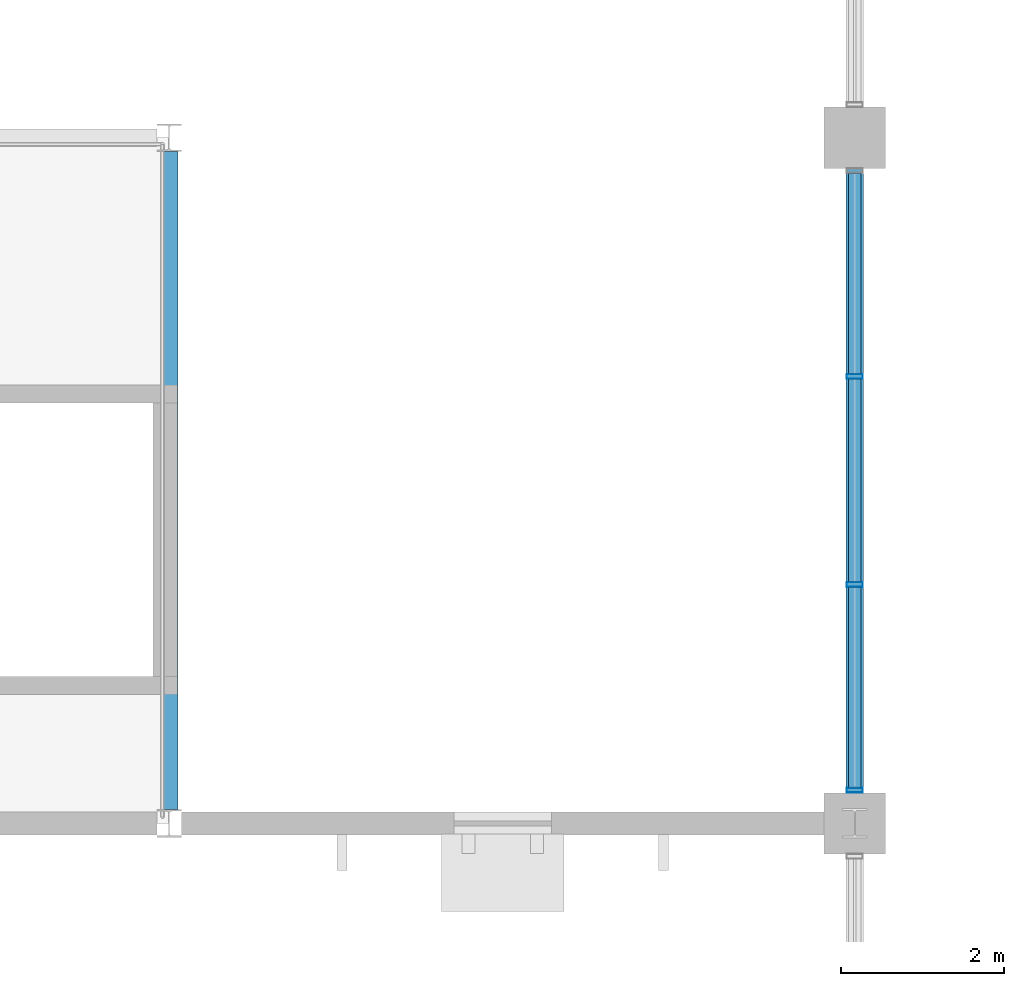
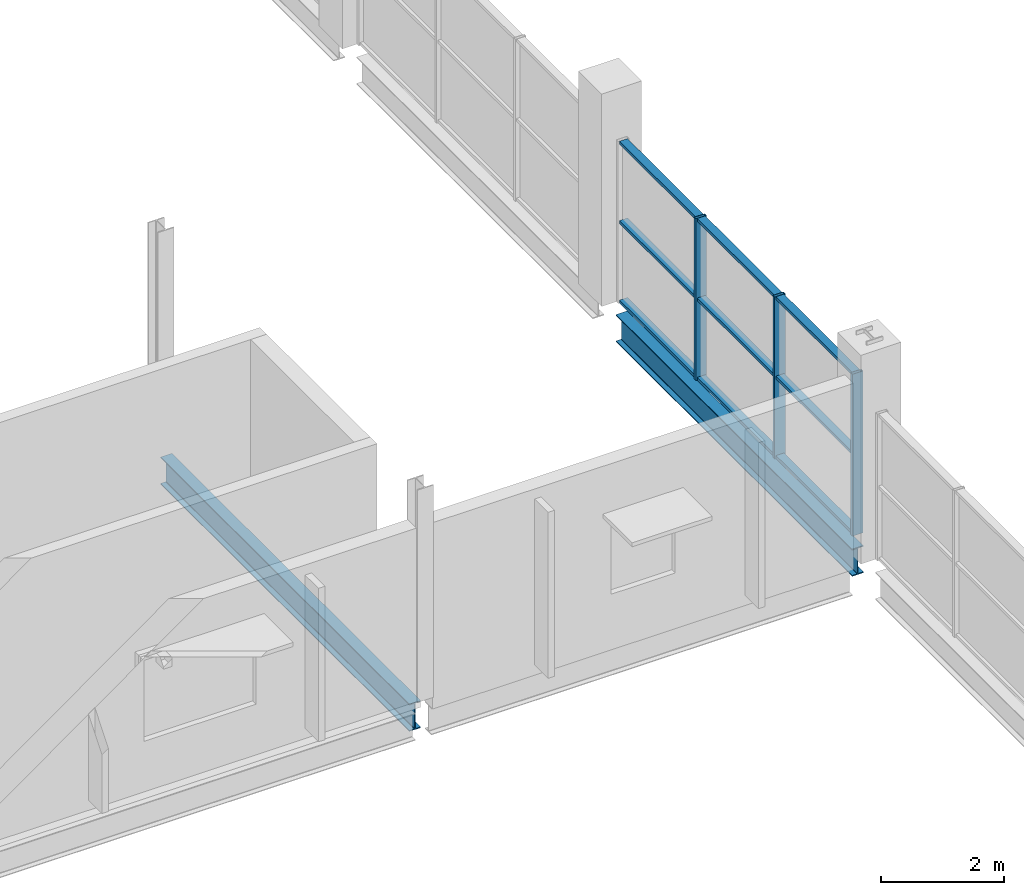
# One storey, part 11 of 68: 12 members, 2 beams, 1 element without a shape of its own.
"""IFC4 building model written with IfcOpenShell, lengths in metres."""

from ifc_helpers import new_model, si_unit, direction, frame, origin, origin_2d, place, context, subcontext, project, spatial, hollow_rectangle, i_section, extrude, material, material_profile, profile_set, type_object, element, aggregate, save


model = new_model("IFC4")

# Units and contexts
model_context = context("Model", 3, precision=1e-05, world=origin(), true_north=direction((0.0, 1.0)))
body_context = subcontext(model_context, "Body", "Model", "MODEL_VIEW")
ifc_project = project(units=[si_unit("LENGTHUNIT", "METRE"), si_unit("AREAUNIT", "SQUARE_METRE"), si_unit("VOLUMEUNIT", "CUBIC_METRE"), si_unit("PLANEANGLEUNIT", "RADIAN"), si_unit("MASSUNIT", "GRAM", prefix="KILO"), si_unit("THERMODYNAMICTEMPERATUREUNIT", "KELVIN")], contexts=[model_context])

# Site, building, storey
site_placement = place(None, origin())
site = spatial("IfcSite", under=ifc_project, at=site_placement, CompositionType="ELEMENT")
building_placement = place(site_placement, origin())
building = spatial("IfcBuilding", under=site, at=building_placement, Name="Nduvali Passage Aquatics Centre", CompositionType="ELEMENT")
storey_placement = place(building_placement, frame((0.0, 0.0, 13.199951171875)))
storey = spatial("IfcBuildingStorey", under=building, at=storey_placement, Name="L03", CompositionType="ELEMENT", Elevation=13.199951171875)

# Curtain wall, members
ifc_material_1 = material(Name="Aluminium EN AW-6063 T6", Category="aluminium")
curtain_wall_type = type_object("IfcCurtainWallType", Name="ENV-CW-CLER", PredefinedType="NOTDEFINED", material=ifc_material_1)
curtain_wall_placement = place(storey_placement, origin())
curtain_wall = element("IfcCurtainWall", 1, at=curtain_wall_placement, inside=storey, type_object=curtain_wall_type, Name="L03 West Pool Hall Upper Clerestory 005", PredefinedType="NOTDEFINED")
ifc_material_profile_1 = material_profile(ifc_material_1, hollow_rectangle(XDim=0.06005859375, YDim=0.199951171875, WallThickness=0.00390625, at=origin_2d()), Name="ALU MULLION 60x200x4")
ifc_profile_set_1 = profile_set([ifc_material_profile_1], Name="Aluminium EN AW-6063 T6")
member_type_1 = type_object("IfcMemberType", Name="ENV-MEM-MUL80", PredefinedType="MULLION", material=ifc_profile_set_1)
member_1_placement = place(storey_placement, frame((25.199951171875, 34.0048828125, 0.0), z_axis=(0.0, 0.0, 1.0), x_axis=(0.0, 1.0, 0.0)))
member_1 = element("IfcMember", 2, at=member_1_placement, type_object=member_type_1, Name="West Pool Hall Upper Clerestory Mullion 1", PredefinedType="MULLION", context=body_context, shape_type="SweptSolid", body=[
    extrude(hollow_rectangle(XDim=0.06005859375, YDim=0.199951171875, WallThickness=0.00390625, at=origin_2d()), origin(), (0.0, 0.0, 1.0), 3.199951171875),
])
member_2_placement = place(storey_placement, frame((25.199951171875, 36.52490234375, 0.0), z_axis=(0.0, 0.0, 1.0), x_axis=(0.0, 1.0, 0.0)))
member_2 = element("IfcMember", 3, at=member_2_placement, type_object=member_type_1, Name="West Pool Hall Upper Clerestory Mullion 2", PredefinedType="MULLION", context=body_context, shape_type="SweptSolid", body=[
    extrude(hollow_rectangle(XDim=0.06005859375, YDim=0.199951171875, WallThickness=0.00390625, at=origin_2d()), origin(), (0.0, 0.0, 1.0), 3.199951171875),
])
member_3_placement = place(storey_placement, frame((25.199951171875, 39.074951171875, 0.0), z_axis=(0.0, 0.0, 1.0), x_axis=(0.0, 1.0, 0.0)))
member_3 = element("IfcMember", 4, at=member_3_placement, type_object=member_type_1, Name="West Pool Hall Upper Clerestory Mullion 3", PredefinedType="MULLION", context=body_context, shape_type="SweptSolid", body=[
    extrude(hollow_rectangle(XDim=0.06005859375, YDim=0.199951171875, WallThickness=0.00390625, at=origin_2d()), origin(), (0.0, 0.0, 1.0), 3.199951171875),
])
ifc_material_profile_2 = material_profile(ifc_material_1, hollow_rectangle(XDim=0.14990234375, YDim=0.06005859375, WallThickness=0.00390625, at=origin_2d()), Name="ALU TRANSOM 150x60x4")
ifc_profile_set_2 = profile_set([ifc_material_profile_2], Name="Aluminium EN AW-6063 T6")
member_type_2 = type_object("IfcMemberType", Name="ENV-MEM-TRN80", PredefinedType="USERDEFINED", material=ifc_profile_set_2)
member_4_placement = place(storey_placement, frame((25.199951171875, 34.034912109375, 0.030029296875), z_axis=(0.0, 1.0, 0.0), x_axis=(-1.0, 0.0, 0.0)))
member_4 = element("IfcMember", 5, at=member_4_placement, type_object=member_type_2, Name="West Pool Hall Upper Clerestory Transom B1-R0", ObjectType="TRANSOM", PredefinedType="USERDEFINED", context=body_context, shape_type="SweptSolid", body=[
    extrude(hollow_rectangle(XDim=0.14990234375, YDim=0.06005859375, WallThickness=0.00390625, at=origin_2d()), origin(), (0.0, 0.0, 1.0), 2.460205078125),
])
member_5_placement = place(storey_placement, frame((25.199951171875, 34.034912109375, 1.60009765625), z_axis=(0.0, 1.0, 0.0), x_axis=(-1.0, 0.0, 0.0)))
member_5 = element("IfcMember", 6, at=member_5_placement, type_object=member_type_2, Name="West Pool Hall Upper Clerestory Transom B1-R1", ObjectType="TRANSOM", PredefinedType="USERDEFINED", context=body_context, shape_type="SweptSolid", body=[
    extrude(hollow_rectangle(XDim=0.14990234375, YDim=0.06005859375, WallThickness=0.00390625, at=origin_2d()), origin(), (0.0, 0.0, 1.0), 2.460205078125),
])
member_6_placement = place(storey_placement, frame((25.199951171875, 34.034912109375, 3.170166015625), z_axis=(0.0, 1.0, 0.0), x_axis=(-1.0, 0.0, 0.0)))
member_6 = element("IfcMember", 7, at=member_6_placement, type_object=member_type_2, Name="West Pool Hall Upper Clerestory Transom B1-R2", ObjectType="TRANSOM", PredefinedType="USERDEFINED", context=body_context, shape_type="SweptSolid", body=[
    extrude(hollow_rectangle(XDim=0.14990234375, YDim=0.06005859375, WallThickness=0.00390625, at=origin_2d()), origin(), (0.0, 0.0, 1.0), 2.460205078125),
])
member_7_placement = place(storey_placement, frame((25.199951171875, 36.554931640625, 0.030029296875), z_axis=(0.0, 1.0, 0.0), x_axis=(-1.0, 0.0, 0.0)))
member_7 = element("IfcMember", 8, at=member_7_placement, type_object=member_type_2, Name="West Pool Hall Upper Clerestory Transom B2-R0", ObjectType="TRANSOM", PredefinedType="USERDEFINED", context=body_context, shape_type="SweptSolid", body=[
    extrude(hollow_rectangle(XDim=0.14990234375, YDim=0.06005859375, WallThickness=0.00390625, at=origin_2d()), origin(), (0.0, 0.0, 1.0), 2.489990234375),
])
member_8_placement = place(storey_placement, frame((25.199951171875, 36.554931640625, 1.60009765625), z_axis=(0.0, 1.0, 0.0), x_axis=(-1.0, 0.0, 0.0)))
member_8 = element("IfcMember", 9, at=member_8_placement, type_object=member_type_2, Name="West Pool Hall Upper Clerestory Transom B2-R1", ObjectType="TRANSOM", PredefinedType="USERDEFINED", context=body_context, shape_type="SweptSolid", body=[
    extrude(hollow_rectangle(XDim=0.14990234375, YDim=0.06005859375, WallThickness=0.00390625, at=origin_2d()), origin(), (0.0, 0.0, 1.0), 2.489990234375),
])
member_9_placement = place(storey_placement, frame((25.199951171875, 36.554931640625, 3.170166015625), z_axis=(0.0, 1.0, 0.0), x_axis=(-1.0, 0.0, 0.0)))
member_9 = element("IfcMember", 10, at=member_9_placement, type_object=member_type_2, Name="West Pool Hall Upper Clerestory Transom B2-R2", ObjectType="TRANSOM", PredefinedType="USERDEFINED", context=body_context, shape_type="SweptSolid", body=[
    extrude(hollow_rectangle(XDim=0.14990234375, YDim=0.06005859375, WallThickness=0.00390625, at=origin_2d()), origin(), (0.0, 0.0, 1.0), 2.489990234375),
])
member_10_placement = place(storey_placement, frame((25.199951171875, 39.10498046875, 0.030029296875), z_axis=(0.0, 1.0, 0.0), x_axis=(-1.0, 0.0, 0.0)))
member_10 = element("IfcMember", 11, at=member_10_placement, type_object=member_type_2, Name="West Pool Hall Upper Clerestory Transom B3-R0", ObjectType="TRANSOM", PredefinedType="USERDEFINED", context=body_context, shape_type="SweptSolid", body=[
    extrude(hollow_rectangle(XDim=0.14990234375, YDim=0.06005859375, WallThickness=0.00390625, at=origin_2d()), origin(), (0.0, 0.0, 1.0), 2.4599609375),
])
member_11_placement = place(storey_placement, frame((25.199951171875, 39.10498046875, 1.60009765625), z_axis=(0.0, 1.0, 0.0), x_axis=(-1.0, 0.0, 0.0)))
member_11 = element("IfcMember", 12, at=member_11_placement, type_object=member_type_2, Name="West Pool Hall Upper Clerestory Transom B3-R1", ObjectType="TRANSOM", PredefinedType="USERDEFINED", context=body_context, shape_type="SweptSolid", body=[
    extrude(hollow_rectangle(XDim=0.14990234375, YDim=0.06005859375, WallThickness=0.00390625, at=origin_2d()), origin(), (0.0, 0.0, 1.0), 2.4599609375),
])
member_12_placement = place(storey_placement, frame((25.199951171875, 39.10498046875, 3.170166015625), z_axis=(0.0, 1.0, 0.0), x_axis=(-1.0, 0.0, 0.0)))
member_12 = element("IfcMember", 13, at=member_12_placement, type_object=member_type_2, Name="West Pool Hall Upper Clerestory Transom B3-R2", ObjectType="TRANSOM", PredefinedType="USERDEFINED", context=body_context, shape_type="SweptSolid", body=[
    extrude(hollow_rectangle(XDim=0.14990234375, YDim=0.06005859375, WallThickness=0.00390625, at=origin_2d()), origin(), (0.0, 0.0, 1.0), 2.4599609375),
])
aggregate(curtain_wall, [member_1, member_2, member_3, member_4, member_5, member_6, member_7, member_8, member_9, member_10, member_11, member_12])

# Beams
ifc_material_2 = material(Name="Steel S355", Category="steel")
ifc_material_profile_3 = material_profile(ifc_material_2, i_section(OverallWidth=0.210693359375, OverallDepth=0.53955078125, WebThickness=0.01171875, FlangeThickness=0.018798828125, FilletRadius=0.0126953125, at=origin_2d()), Name="UKB 533x210x109")
ifc_profile_set_3 = profile_set([ifc_material_profile_3], Name="Steel S355")
beam_type_1 = type_object("IfcBeamType", Name="STR-BM-UKB533", PredefinedType="BEAM", material=ifc_profile_set_3)
beam_1_placement = place(storey_placement, frame((16.800048828125, 33.77001953125, -0.523681640625), z_axis=(0.0, 1.0, 0.0), x_axis=(-1.0, 0.0, 0.0)))
element("IfcBeam", 14, at=beam_1_placement, inside=storey, type_object=beam_type_1, Name="L03 Primary Y-Girder B6-1247", PredefinedType="BEAM", context=body_context, shape_type="SweptSolid", body=[
    extrude(i_section(OverallWidth=0.210693359375, OverallDepth=0.53955078125, WebThickness=0.01171875, FlangeThickness=0.018798828125, FilletRadius=0.0126953125, at=origin_2d()), origin(), (0.0, 0.0, 1.0), 8.06005859375),
])
ifc_material_profile_4 = material_profile(ifc_material_2, i_section(OverallWidth=0.210693359375, OverallDepth=0.53955078125, WebThickness=0.01171875, FlangeThickness=0.018798828125, FilletRadius=0.0126953125, at=origin_2d()), Name="UKB 533x210x109")
ifc_profile_set_4 = profile_set([ifc_material_profile_4], Name="Steel S355")
beam_type_2 = type_object("IfcBeamType", Name="STR-BM-UKB533-EXT", PredefinedType="BEAM", material=ifc_profile_set_4)
beam_2_placement = place(storey_placement, frame((25.199951171875, 33.97509765625, -0.523681640625), z_axis=(0.0, 1.0, 0.0), x_axis=(-1.0, 0.0, 0.0)))
element("IfcBeam", 15, at=beam_2_placement, inside=storey, type_object=beam_type_2, Name="L03 Primary Y-Girder B6E-1250", PredefinedType="BEAM", context=body_context, shape_type="SweptSolid", body=[
    extrude(i_section(OverallWidth=0.210693359375, OverallDepth=0.53955078125, WebThickness=0.01171875, FlangeThickness=0.018798828125, FilletRadius=0.0126953125, at=origin_2d()), origin(), (0.0, 0.0, 1.0), 7.64990234375),
])

save(model, "model.ifc")
